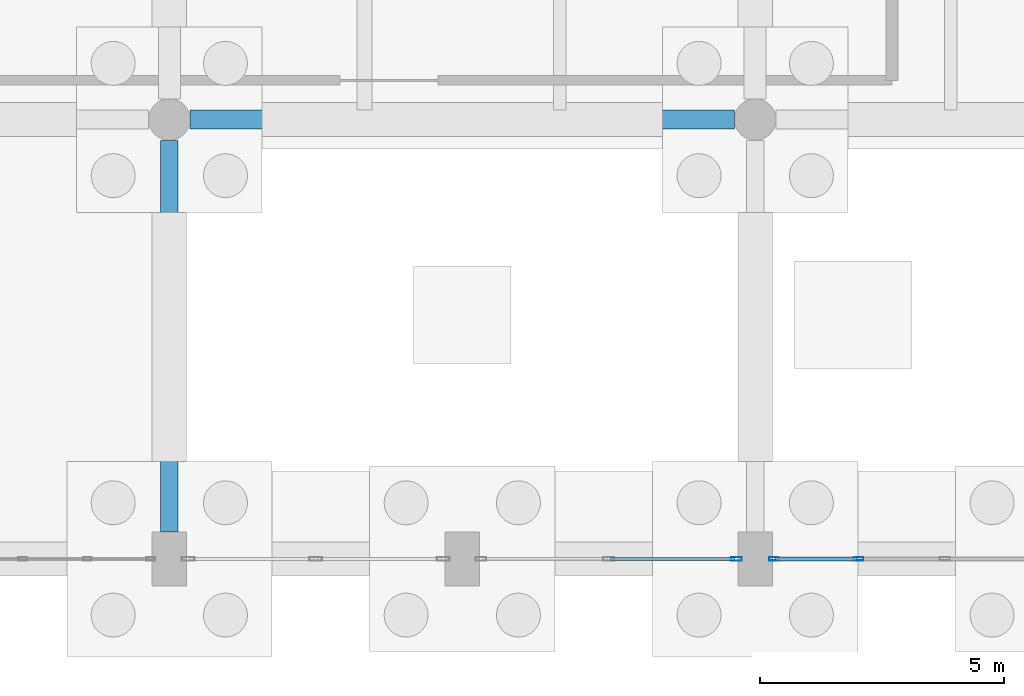
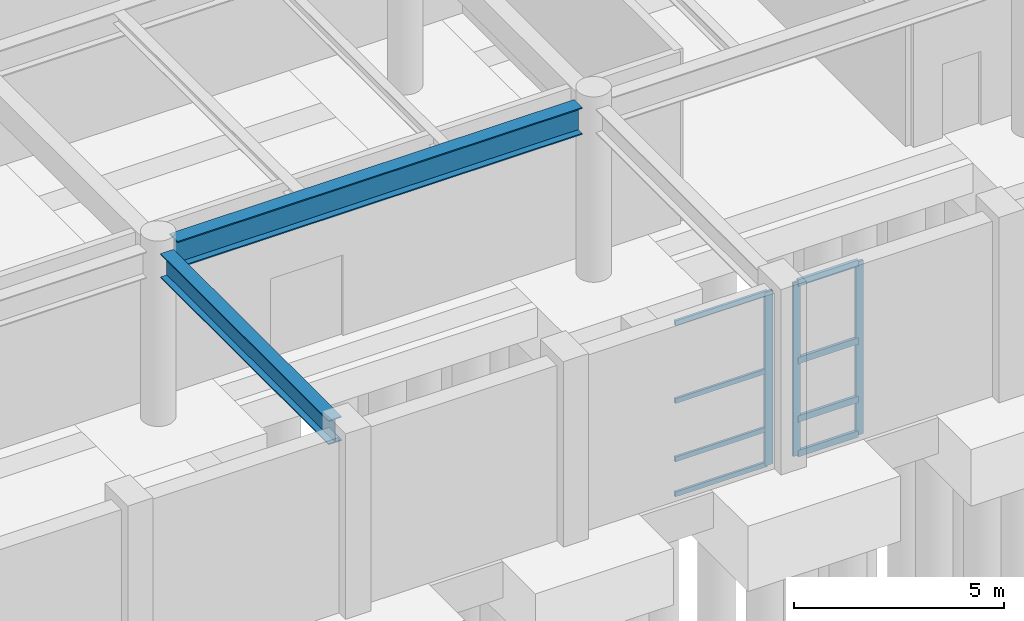
# One storey, part 30 of 69: 11 members, 2 beams, 2 elements without a shape of their own.
"""IFC4 building model written with IfcOpenShell, lengths in metres."""

from ifc_helpers import new_model, si_unit, direction, frame, origin, origin_2d, place, context, subcontext, project, spatial, hollow_rectangle, i_section, extrude, material, layer, layer_set, material_profile, profile_set, type_object, element, aggregate, save


model = new_model("IFC4")

# Units and contexts
model_context = context("Model", 3, precision=1e-05, world=origin(), true_north=direction((0.0, 1.0)))
body_context = subcontext(model_context, "Body", "Model", "MODEL_VIEW")
ifc_project = project(units=[si_unit("LENGTHUNIT", "METRE"), si_unit("AREAUNIT", "SQUARE_METRE"), si_unit("VOLUMEUNIT", "CUBIC_METRE"), si_unit("PLANEANGLEUNIT", "RADIAN"), si_unit("MASSUNIT", "GRAM", prefix="KILO")], contexts=[model_context])

# Site, building, storey
site_placement = place(None, origin())
site = spatial("IfcSite", under=ifc_project, at=site_placement, CompositionType="ELEMENT")
building_placement = place(site_placement, origin())
building = spatial("IfcBuilding", under=site, at=building_placement, Name="Vaelkrest Opera House", CompositionType="ELEMENT")
storey_placement = place(building_placement, frame((0.0, 0.0, -5.39990234375)))
storey = spatial("IfcBuildingStorey", under=building, at=storey_placement, Name="B1", CompositionType="ELEMENT", Elevation=-5.39990234375)

# Beams
ifc_material_1 = material(Name="Steel A992 Gr50", Category="steel")
ifc_material_profile_1 = material_profile(ifc_material_1, i_section(OverallWidth=0.35791015625, OverallDepth=0.7060546875, WebThickness=0.018310546875, FlangeThickness=0.0302734375, at=origin_2d()), Name="W27X178")
ifc_profile_set_1 = profile_set([ifc_material_profile_1], Name="Steel A992 Gr50")
beam_type_1 = type_object("IfcBeamType", Name="B14", PredefinedType="BEAM", material=ifc_profile_set_1)
beam_1_placement = place(storey_placement, frame((-18.0, -55.25, 4.706787109375), z_axis=(0.0, 1.0, 0.0), x_axis=(-1.0, 0.0, 0.0)))
element("IfcBeam", 1, at=beam_1_placement, inside=storey, type_object=beam_type_1, Name="Beam BM-V1-B1-0042", PredefinedType="BEAM", context=body_context, shape_type="SweptSolid", body=[
    extrude(i_section(OverallWidth=0.35791015625, OverallDepth=0.7060546875, WebThickness=0.018310546875, FlangeThickness=0.0302734375, at=origin_2d()), origin(), (0.0, 0.0, 1.0), 8.02490234375),
])
ifc_material_profile_2 = material_profile(ifc_material_1, i_section(OverallWidth=0.384033203125, OverallDepth=0.785888671875, WebThickness=0.019775390625, FlangeThickness=0.033447265625, at=origin_2d()), Name="W30X211")
ifc_profile_set_2 = profile_set([ifc_material_profile_2], Name="Steel A992 Gr50")
beam_type_2 = type_object("IfcBeamType", Name="B16", PredefinedType="BEAM", material=ifc_profile_set_2)
beam_2_placement = place(storey_placement, frame((-17.574951171875, -46.800048828125, 4.6669921875), z_axis=(1.0, 0.0, 0.0), x_axis=(0.0, 1.0, 0.0)))
element("IfcBeam", 2, at=beam_2_placement, inside=storey, type_object=beam_type_2, Name="Beam BM-V1-B1-0002", PredefinedType="BEAM", context=body_context, shape_type="SweptSolid", body=[
    extrude(i_section(OverallWidth=0.384033203125, OverallDepth=0.785888671875, WebThickness=0.019775390625, FlangeThickness=0.033447265625, at=origin_2d()), origin(), (0.0, 0.0, 1.0), 11.14990234375),
])

# Curtain wall, members
ifc_material_2 = material(Name="Dark bronze anodized aluminium", Category="aluminium")
ifc_layer_1 = layer(ifc_material_2, 0.22998046875)
ifc_layer_set_1 = layer_set([ifc_layer_1], Name="Dark bronze anodized aluminium")
curtain_wall_type_1 = type_object("IfcCurtainWallType", Name="CW06", PredefinedType="NOTDEFINED", material=ifc_layer_set_1)
curtain_wall_1_placement = place(storey_placement, origin())
curtain_wall_1 = element("IfcCurtainWall", 3, at=curtain_wall_1_placement, inside=storey, type_object=curtain_wall_type_1, Name="Curtain wall CW-B1-006", PredefinedType="NOTDEFINED")
ifc_material_profile_3 = material_profile(ifc_material_2, hollow_rectangle(XDim=0.070068359375, YDim=0.199951171875, WallThickness=0.004150390625, at=origin_2d()), Name="CWM70X200")
ifc_profile_set_3 = profile_set([ifc_material_profile_3], Name="Dark bronze anodized aluminium")
member_type_1 = type_object("IfcMemberType", Name="CWM02", PredefinedType="MULLION", material=ifc_profile_set_3)
member_1_placement = place(storey_placement, frame((-3.884033203125, -55.800048828125, 0.0), z_axis=(0.0, 0.0, 1.0), x_axis=(0.0, -1.0, 0.0)))
member_1 = element("IfcMember", 4, at=member_1_placement, type_object=member_type_1, Name="CW06 mullion 3", PredefinedType="MULLION", context=body_context, shape_type="SweptSolid", body=[
    extrude(hollow_rectangle(XDim=0.070068359375, YDim=0.199951171875, WallThickness=0.004150390625, at=origin_2d()), origin(), (0.0, 0.0, 1.0), 5.0498046875),
])
member_2_placement = place(storey_placement, frame((-5.616943359375, -55.800048828125, 0.0), z_axis=(0.0, 0.0, 1.0), x_axis=(0.0, -1.0, 0.0)))
member_2 = element("IfcMember", 5, at=member_2_placement, type_object=member_type_1, Name="CW06 mullion 4", PredefinedType="MULLION", context=body_context, shape_type="SweptSolid", body=[
    extrude(hollow_rectangle(XDim=0.070068359375, YDim=0.199951171875, WallThickness=0.004150390625, at=origin_2d()), origin(), (0.0, 0.0, 1.0), 5.0498046875),
])

ifc_layer_2 = layer(ifc_material_2, 0.239990234375)
ifc_layer_set_2 = layer_set([ifc_layer_2], Name="Dark bronze anodized aluminium")
curtain_wall_type_2 = type_object("IfcCurtainWallType", Name="CW07", PredefinedType="NOTDEFINED", material=ifc_layer_set_2)
curtain_wall_2_placement = place(storey_placement, origin())
curtain_wall_2 = element("IfcCurtainWall", 6, at=curtain_wall_2_placement, inside=storey, type_object=curtain_wall_type_2, Name="Curtain wall CW-B1-007", PredefinedType="NOTDEFINED")
ifc_material_profile_4 = material_profile(ifc_material_2, hollow_rectangle(XDim=0.074951171875, YDim=0.219970703125, WallThickness=0.00439453125, at=origin_2d()), Name="CWM75X220")
ifc_profile_set_4 = profile_set([ifc_material_profile_4], Name="Dark bronze anodized aluminium")
member_type_2 = type_object("IfcMemberType", Name="CWM03", PredefinedType="MULLION", material=ifc_profile_set_4)
member_3_placement = place(storey_placement, frame((-6.385498046875, -55.800048828125, 0.0), z_axis=(0.0, 0.0, 1.0), x_axis=(0.0, -1.0, 0.0)))
member_3 = element("IfcMember", 7, at=member_3_placement, type_object=member_type_2, Name="CW07 mullion 1", PredefinedType="MULLION", context=body_context, shape_type="SweptSolid", body=[
    extrude(hollow_rectangle(XDim=0.074951171875, YDim=0.219970703125, WallThickness=0.00439453125, at=origin_2d()), origin(), (0.0, 0.0, 1.0), 5.0498046875),
])
ifc_material_profile_5 = material_profile(ifc_material_2, hollow_rectangle(XDim=0.06494140625, YDim=0.139892578125, WallThickness=0.00390625, at=origin_2d()), Name="CWT65X140")
ifc_profile_set_5 = profile_set([ifc_material_profile_5], Name="Dark bronze anodized aluminium")
member_type_3 = type_object("IfcMemberType", Name="CWT01", PredefinedType="USERDEFINED", material=ifc_profile_set_5)
member_4_placement = place(storey_placement, frame((-6.423095703125, -55.800048828125, 0.032470703125), z_axis=(-1.0, 0.0, 0.0), x_axis=(0.0, -1.0, 0.0)))
member_4 = element("IfcMember", 8, at=member_4_placement, type_object=member_type_3, Name="CW07 transom 1.1", ObjectType="TRANSOM", PredefinedType="USERDEFINED", context=body_context, shape_type="SweptSolid", body=[
    extrude(hollow_rectangle(XDim=0.06494140625, YDim=0.139892578125, WallThickness=0.00390625, at=origin_2d()), origin(), (0.0, 0.0, 1.0), 2.539306640625),
])
member_5_placement = place(storey_placement, frame((-6.423095703125, -55.800048828125, 1.0498046875), z_axis=(-1.0, 0.0, 0.0), x_axis=(0.0, -1.0, 0.0)))
member_5 = element("IfcMember", 9, at=member_5_placement, type_object=member_type_3, Name="CW07 transom 1.2", ObjectType="TRANSOM", PredefinedType="USERDEFINED", context=body_context, shape_type="SweptSolid", body=[
    extrude(hollow_rectangle(XDim=0.06494140625, YDim=0.139892578125, WallThickness=0.00390625, at=origin_2d()), origin(), (0.0, 0.0, 1.0), 2.539306640625),
])
member_6_placement = place(storey_placement, frame((-6.423095703125, -55.800048828125, 2.75), z_axis=(-1.0, 0.0, 0.0), x_axis=(0.0, -1.0, 0.0)))
member_6 = element("IfcMember", 10, at=member_6_placement, type_object=member_type_3, Name="CW07 transom 1.3", ObjectType="TRANSOM", PredefinedType="USERDEFINED", context=body_context, shape_type="SweptSolid", body=[
    extrude(hollow_rectangle(XDim=0.06494140625, YDim=0.139892578125, WallThickness=0.00390625, at=origin_2d()), origin(), (0.0, 0.0, 1.0), 2.539306640625),
])
member_7_placement = place(storey_placement, frame((-6.423095703125, -55.800048828125, 5.017333984375), z_axis=(-1.0, 0.0, 0.0), x_axis=(0.0, -1.0, 0.0)))
member_7 = element("IfcMember", 11, at=member_7_placement, type_object=member_type_3, Name="CW07 transom 1.4", ObjectType="TRANSOM", PredefinedType="USERDEFINED", context=body_context, shape_type="SweptSolid", body=[
    extrude(hollow_rectangle(XDim=0.06494140625, YDim=0.139892578125, WallThickness=0.00390625, at=origin_2d()), origin(), (0.0, 0.0, 1.0), 2.539306640625),
])
aggregate(curtain_wall_2, [member_3, member_4, member_5, member_6, member_7])

# Member
ifc_material_profile_6 = material_profile(ifc_material_2, hollow_rectangle(XDim=0.080078125, YDim=0.18994140625, WallThickness=0.0048828125, at=origin_2d()), Name="CWT80X190")
ifc_profile_set_6 = profile_set([ifc_material_profile_6], Name="Dark bronze anodized aluminium")
member_type_4 = type_object("IfcMemberType", Name="CWT04", PredefinedType="USERDEFINED", material=ifc_profile_set_6)
member_8_placement = place(storey_placement, frame((-3.9189453125, -55.800048828125, 0.039794921875), z_axis=(-1.0, 0.0, 0.0), x_axis=(0.0, -1.0, 0.0)))
member_8 = element("IfcMember", 12, at=member_8_placement, type_object=member_type_4, Name="CW06 transom 3.1", ObjectType="TRANSOM", PredefinedType="USERDEFINED", context=body_context, shape_type="SweptSolid", body=[
    extrude(hollow_rectangle(XDim=0.080078125, YDim=0.18994140625, WallThickness=0.0048828125, at=origin_2d()), origin(), (0.0, 0.0, 1.0), 1.6630859375),
])

member_9_placement = place(storey_placement, frame((-3.9189453125, -55.800048828125, 1.0498046875), z_axis=(-1.0, 0.0, 0.0), x_axis=(0.0, -1.0, 0.0)))
member_9 = element("IfcMember", 13, at=member_9_placement, type_object=member_type_4, Name="CW06 transom 3.2", ObjectType="TRANSOM", PredefinedType="USERDEFINED", context=body_context, shape_type="SweptSolid", body=[
    extrude(hollow_rectangle(XDim=0.080078125, YDim=0.18994140625, WallThickness=0.0048828125, at=origin_2d()), origin(), (0.0, 0.0, 1.0), 1.6630859375),
])

member_10_placement = place(storey_placement, frame((-3.9189453125, -55.800048828125, 2.75), z_axis=(-1.0, 0.0, 0.0), x_axis=(0.0, -1.0, 0.0)))
member_10 = element("IfcMember", 14, at=member_10_placement, type_object=member_type_4, Name="CW06 transom 3.3", ObjectType="TRANSOM", PredefinedType="USERDEFINED", context=body_context, shape_type="SweptSolid", body=[
    extrude(hollow_rectangle(XDim=0.080078125, YDim=0.18994140625, WallThickness=0.0048828125, at=origin_2d()), origin(), (0.0, 0.0, 1.0), 1.6630859375),
])

member_11_placement = place(storey_placement, frame((-3.9189453125, -55.800048828125, 5.010009765625), z_axis=(-1.0, 0.0, 0.0), x_axis=(0.0, -1.0, 0.0)))
member_11 = element("IfcMember", 15, at=member_11_placement, type_object=member_type_4, Name="CW06 transom 3.4", ObjectType="TRANSOM", PredefinedType="USERDEFINED", context=body_context, shape_type="SweptSolid", body=[
    extrude(hollow_rectangle(XDim=0.080078125, YDim=0.18994140625, WallThickness=0.0048828125, at=origin_2d()), origin(), (0.0, 0.0, 1.0), 1.6630859375),
])

aggregate(curtain_wall_1, [member_1, member_2, member_8, member_9, member_10, member_11])

save(model, "model.ifc")
